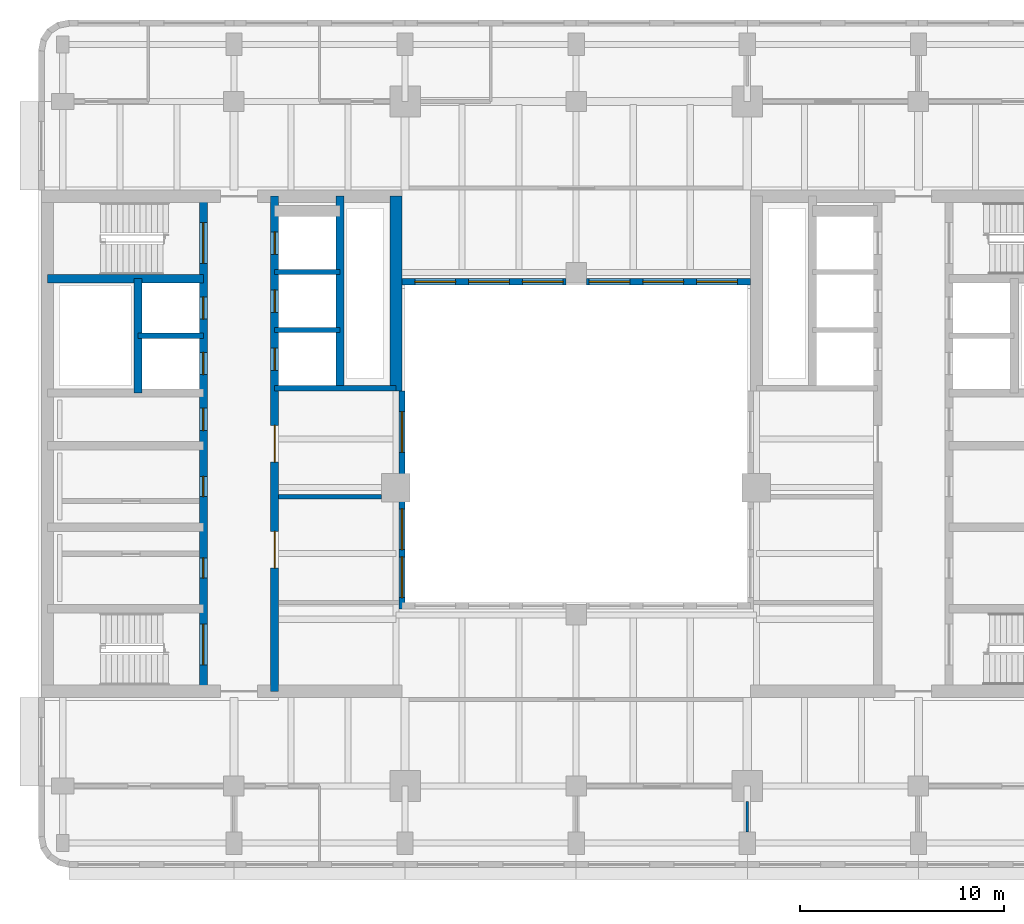
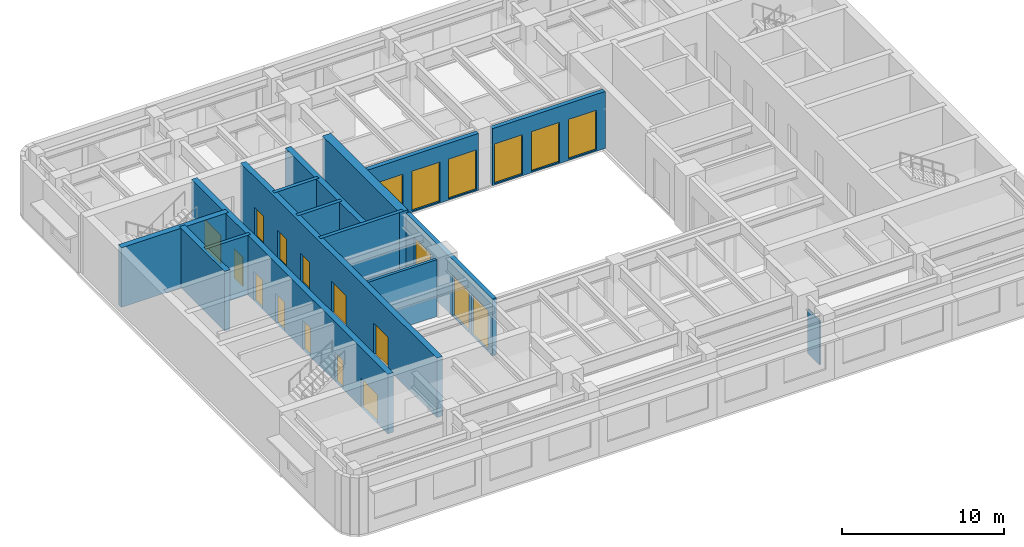
# One storey, part 4 of 13: 15 walls, 12 doors, 9 windows, 21 openings.
"""IFC4 building model written with IfcOpenShell, lengths in metres."""

from ifc_helpers import new_model, si_unit, direction, frame, frame_2d, origin, place, context, subcontext, project, spatial, rectangle, extrude, material, layer, layer_set, type_object, element, fill, save


model = new_model("IFC4")

# Units and contexts
model_context = context("Model", 3, precision=1e-05, world=origin(), true_north=direction((0.0, 1.0)))
body_context = subcontext(model_context, "Body", "Model", "MODEL_VIEW")
ifc_project = project(units=[si_unit("LENGTHUNIT", "METRE"), si_unit("AREAUNIT", "SQUARE_METRE"), si_unit("VOLUMEUNIT", "CUBIC_METRE"), si_unit("PLANEANGLEUNIT", "RADIAN"), si_unit("MASSUNIT", "GRAM", prefix="KILO")], contexts=[model_context])

# Site, building, storey
site_placement = place(None, origin())
site = spatial("IfcSite", under=ifc_project, at=site_placement, CompositionType="ELEMENT")
building_placement = place(site_placement, origin())
building = spatial("IfcBuilding", under=site, at=building_placement, Name="Claustro Exchange Tower", CompositionType="ELEMENT")
storey_placement = place(building_placement, frame((0.0, 0.0, 277.199951171875)))
storey = spatial("IfcBuildingStorey", under=building, at=storey_placement, Name="L63", CompositionType="ELEMENT", Elevation=277.199951171875)

# Walls
ifc_material_1 = material(Name="Laminated glass in aluminium frame", Category="aluminium")
ifc_layer_1 = layer(ifc_material_1, 0.1201171875)
ifc_layer_set_1 = layer_set([ifc_layer_1], Name="Laminated glass in aluminium frame")
wall_type_1 = type_object("IfcWallType", Name="P2 120 glazed partition", PredefinedType="PARTITIONING", material=ifc_layer_set_1)
wall_1_placement = place(storey_placement, frame((33.60009765625, 6.14892578125, 0.0), z_axis=(0.0, 0.0, 1.0), x_axis=(0.0, 1.0, 0.0)))
element("IfcWall", 1, at=wall_1_placement, inside=storey, type_object=wall_type_1, Name="Partition P2 L63", PredefinedType="PARTITIONING", context=body_context, shape_type="SweptSolid", body=[
    extrude(rectangle(XDim=1.501953125, YDim=0.1201171875, at=frame_2d((0.7509765625, 0.0))), origin(), (0.0, 0.0, 1.0), 3.2919921875),
])
ifc_material_2 = material(Name="Twin-skin gypsum board on steel studs, mineral wool", Category="steel")
ifc_layer_2 = layer(ifc_material_2, 0.199951171875)
ifc_layer_set_2 = layer_set([ifc_layer_2], Name="Twin-skin gypsum board on steel studs, mineral wool")
wall_type_2 = type_object("IfcWallType", Name="P3 200 acoustic partition", PredefinedType="PARTITIONING", material=ifc_layer_set_2)
wall_2_placement = place(storey_placement, frame((10.597900390625, 22.60009765625, 0.0), z_axis=(0.0, 0.0, 1.0), x_axis=(1.0, 0.0, 0.0)))
element("IfcWall", 2, at=wall_2_placement, inside=storey, type_object=wall_type_2, Name="Partition P3 L63", PredefinedType="PARTITIONING", context=body_context, shape_type="SweptSolid", body=[
    extrude(rectangle(XDim=5.052978515625, YDim=0.199951171875, at=frame_2d((2.5263671875, 0.0))), origin(), (0.0, 0.0, 1.0), 4.300048828125),
])

# Wall, openings, windows
ifc_material_3 = material(Name="Concrete HA-40 (C40/50), precast, white cement, acid-etched", Category="concrete")
ifc_layer_3 = layer(ifc_material_3, 0.300048828125)
ifc_layer_set_3 = layer_set([ifc_layer_3], Name="Concrete HA-40 (C40/50), precast, white cement, acid-etched")
wall_type_3 = type_object("IfcWallType", Name="PC1 300 precast concrete pier panel", PredefinedType="SOLIDWALL", material=ifc_layer_set_3)
wall_3_placement = place(storey_placement, frame((16.64990234375, 17.10009765625, 0.0), z_axis=(0.0, 0.0, 1.0), x_axis=(0.0, 1.0, 0.0)))
wall_3 = element("IfcWall", 3, at=wall_3_placement, inside=storey, type_object=wall_type_3, Name="Precast pier panel PC1 L63", PredefinedType="SOLIDWALL", context=body_context, shape_type="SweptSolid", body=[
    extrude(rectangle(XDim=10.699951171875, YDim=0.300048828125, at=frame_2d((5.35009765625, 0.0))), origin(), (0.0, 0.0, 1.0), 4.300048828125),
])
opening_1_placement = place(wall_3_placement, frame((0.550048828125, 0.0, 0.10009765625)))
opening_1 = element("IfcOpeningElement", 4, at=opening_1_placement, cuts=wall_3, Name="Opening W-A", PredefinedType="OPENING", context=body_context, shape_type="SweptSolid", body=[
    extrude(rectangle(XDim=2.0, YDim=3.0, at=frame_2d((1.0, 1.5))), frame((0.0, 0.159912109375, 0.0), z_axis=(0.0, -1.0, 0.0), x_axis=(1.0, 0.0, 0.0)), (0.0, 0.0, 1.0), 0.320068359375),
])
opening_2_placement = place(wall_3_placement, frame((2.89990234375, 0.0, 0.10009765625)))
opening_2 = element("IfcOpeningElement", 5, at=opening_2_placement, cuts=wall_3, Name="Opening W-A", PredefinedType="OPENING", context=body_context, shape_type="SweptSolid", body=[
    extrude(rectangle(XDim=2.0, YDim=3.0, at=frame_2d((1.0, 1.5))), frame((0.0, 0.159912109375, 0.0), z_axis=(0.0, -1.0, 0.0), x_axis=(1.0, 0.0, 0.0)), (0.0, 0.0, 1.0), 0.320068359375),
])
opening_3_placement = place(wall_3_placement, frame((7.675048828125, 0.0, 0.10009765625)))
opening_3 = element("IfcOpeningElement", 6, at=opening_3_placement, cuts=wall_3, Name="Opening W-A", PredefinedType="OPENING", context=body_context, shape_type="SweptSolid", body=[
    extrude(rectangle(XDim=2.0, YDim=3.0, at=frame_2d((1.0, 1.5))), frame((0.0, 0.159912109375, 0.0), z_axis=(0.0, -1.0, 0.0), x_axis=(1.0, 0.0, 0.0)), (0.0, 0.0, 1.0), 0.320068359375),
])
ifc_material_4 = material(Name="Aluminium frame, clear double glazing", Category="aluminium")
window_type = type_object("IfcWindowType", Name="W-A 2000 x 3000 arcade window", PartitioningType="SINGLE_PANEL", PredefinedType="WINDOW", material=ifc_material_4)
window_1_placement = place(opening_1_placement, origin())
window_1 = element("IfcWindow", 7, at=window_1_placement, inside=storey, type_object=window_type, Name="Window W-A L63", OverallHeight=3.0, OverallWidth=2.0, PartitioningType="SINGLE_PANEL", PredefinedType="WINDOW", context=body_context, shape_type="SweptSolid", body=[
    extrude(rectangle(XDim=2.0, YDim=3.0, at=frame_2d((1.0, 1.5))), frame((0.0, 0.030029296875, 0.0), z_axis=(0.0, -1.0, 0.0), x_axis=(1.0, 0.0, 0.0)), (0.0, 0.0, 1.0), 0.06005859375),
])
fill(opening_1, window_1)
window_2_placement = place(opening_2_placement, origin())
window_2 = element("IfcWindow", 8, at=window_2_placement, inside=storey, type_object=window_type, Name="Window W-A L63", OverallHeight=3.0, OverallWidth=2.0, PartitioningType="SINGLE_PANEL", PredefinedType="WINDOW", context=body_context, shape_type="SweptSolid", body=[
    extrude(rectangle(XDim=2.0, YDim=3.0, at=frame_2d((1.0, 1.5))), frame((0.0, 0.030029296875, 0.0), z_axis=(0.0, -1.0, 0.0), x_axis=(1.0, 0.0, 0.0)), (0.0, 0.0, 1.0), 0.06005859375),
])
fill(opening_2, window_2)
window_3_placement = place(opening_3_placement, origin())
window_3 = element("IfcWindow", 9, at=window_3_placement, inside=storey, type_object=window_type, Name="Window W-A L63", OverallHeight=3.0, OverallWidth=2.0, PartitioningType="SINGLE_PANEL", PredefinedType="WINDOW", context=body_context, shape_type="SweptSolid", body=[
    extrude(rectangle(XDim=2.0, YDim=3.0, at=frame_2d((1.0, 1.5))), frame((0.0, 0.030029296875, 0.0), z_axis=(0.0, -1.0, 0.0), x_axis=(1.0, 0.0, 0.0)), (0.0, 0.0, 1.0), 0.06005859375),
])
fill(opening_3, window_3)

wall_4_placement = place(storey_placement, frame((16.64990234375, 33.14990234375, 0.0), z_axis=(0.0, 0.0, 1.0), x_axis=(1.0, 0.0, 0.0)))
wall_4 = element("IfcWall", 10, at=wall_4_placement, inside=storey, type_object=wall_type_3, Name="Precast pier panel PC1 L63", PredefinedType="SOLIDWALL", context=body_context, shape_type="SweptSolid", body=[
    extrude(rectangle(XDim=8.050048828125, YDim=0.300048828125, at=frame_2d((4.02490234375, 0.0))), origin(), (0.0, 0.0, 1.0), 4.300048828125),
])
opening_4_placement = place(wall_4_placement, frame((0.637451171875, 0.0, 0.10009765625)))
opening_4 = element("IfcOpeningElement", 11, at=opening_4_placement, cuts=wall_4, Name="Opening W-A", PredefinedType="OPENING", context=body_context, shape_type="SweptSolid", body=[
    extrude(rectangle(XDim=2.0, YDim=3.0, at=frame_2d((1.0, 1.5))), frame((0.0, 0.159912109375, 0.0), z_axis=(0.0, -1.0, 0.0), x_axis=(1.0, 0.0, 0.0)), (0.0, 0.0, 1.0), 0.320068359375),
])
opening_5_placement = place(wall_4_placement, frame((3.27490234375, 0.0, 0.10009765625)))
opening_5 = element("IfcOpeningElement", 12, at=opening_5_placement, cuts=wall_4, Name="Opening W-A", PredefinedType="OPENING", context=body_context, shape_type="SweptSolid", body=[
    extrude(rectangle(XDim=2.0, YDim=3.0, at=frame_2d((1.0, 1.5))), frame((0.0, 0.159912109375, 0.0), z_axis=(0.0, -1.0, 0.0), x_axis=(1.0, 0.0, 0.0)), (0.0, 0.0, 1.0), 0.320068359375),
])
opening_6_placement = place(wall_4_placement, frame((5.91259765625, 0.0, 0.10009765625)))
opening_6 = element("IfcOpeningElement", 13, at=opening_6_placement, cuts=wall_4, Name="Opening W-A", PredefinedType="OPENING", context=body_context, shape_type="SweptSolid", body=[
    extrude(rectangle(XDim=2.0, YDim=3.0, at=frame_2d((1.0, 1.5))), frame((0.0, 0.159912109375, 0.0), z_axis=(0.0, -1.0, 0.0), x_axis=(1.0, 0.0, 0.0)), (0.0, 0.0, 1.0), 0.320068359375),
])
window_4_placement = place(opening_4_placement, origin())
window_4 = element("IfcWindow", 14, at=window_4_placement, inside=storey, type_object=window_type, Name="Window W-A L63", OverallHeight=3.0, OverallWidth=2.0, PartitioningType="SINGLE_PANEL", PredefinedType="WINDOW", context=body_context, shape_type="SweptSolid", body=[
    extrude(rectangle(XDim=2.0, YDim=3.0, at=frame_2d((1.0, 1.5))), frame((0.0, 0.030029296875, 0.0), z_axis=(0.0, -1.0, 0.0), x_axis=(1.0, 0.0, 0.0)), (0.0, 0.0, 1.0), 0.06005859375),
])
fill(opening_4, window_4)
window_5_placement = place(opening_5_placement, origin())
window_5 = element("IfcWindow", 15, at=window_5_placement, inside=storey, type_object=window_type, Name="Window W-A L63", OverallHeight=3.0, OverallWidth=2.0, PartitioningType="SINGLE_PANEL", PredefinedType="WINDOW", context=body_context, shape_type="SweptSolid", body=[
    extrude(rectangle(XDim=2.0, YDim=3.0, at=frame_2d((1.0, 1.5))), frame((0.0, 0.030029296875, 0.0), z_axis=(0.0, -1.0, 0.0), x_axis=(1.0, 0.0, 0.0)), (0.0, 0.0, 1.0), 0.06005859375),
])
fill(opening_5, window_5)
window_6_placement = place(opening_6_placement, origin())
window_6 = element("IfcWindow", 16, at=window_6_placement, inside=storey, type_object=window_type, Name="Window W-A L63", OverallHeight=3.0, OverallWidth=2.0, PartitioningType="SINGLE_PANEL", PredefinedType="WINDOW", context=body_context, shape_type="SweptSolid", body=[
    extrude(rectangle(XDim=2.0, YDim=3.0, at=frame_2d((1.0, 1.5))), frame((0.0, 0.030029296875, 0.0), z_axis=(0.0, -1.0, 0.0), x_axis=(1.0, 0.0, 0.0)), (0.0, 0.0, 1.0), 0.06005859375),
])
fill(opening_6, window_6)

wall_5_placement = place(storey_placement, frame((25.699951171875, 33.14990234375, 0.0), z_axis=(0.0, 0.0, 1.0), x_axis=(1.0, 0.0, 0.0)))
wall_5 = element("IfcWall", 17, at=wall_5_placement, inside=storey, type_object=wall_type_3, Name="Precast pier panel PC1 L63", PredefinedType="SOLIDWALL", context=body_context, shape_type="SweptSolid", body=[
    extrude(rectangle(XDim=8.050048828125, YDim=0.300048828125, at=frame_2d((4.02490234375, 0.0))), origin(), (0.0, 0.0, 1.0), 4.300048828125),
])
opening_7_placement = place(wall_5_placement, frame((0.137451171875, 0.0, 0.10009765625)))
opening_7 = element("IfcOpeningElement", 18, at=opening_7_placement, cuts=wall_5, Name="Opening W-A", PredefinedType="OPENING", context=body_context, shape_type="SweptSolid", body=[
    extrude(rectangle(XDim=2.0, YDim=3.0, at=frame_2d((1.0, 1.5))), frame((0.0, 0.159912109375, 0.0), z_axis=(0.0, -1.0, 0.0), x_axis=(1.0, 0.0, 0.0)), (0.0, 0.0, 1.0), 0.320068359375),
])
opening_8_placement = place(wall_5_placement, frame((2.77490234375, 0.0, 0.10009765625)))
opening_8 = element("IfcOpeningElement", 19, at=opening_8_placement, cuts=wall_5, Name="Opening W-A", PredefinedType="OPENING", context=body_context, shape_type="SweptSolid", body=[
    extrude(rectangle(XDim=2.0, YDim=3.0, at=frame_2d((1.0, 1.5))), frame((0.0, 0.159912109375, 0.0), z_axis=(0.0, -1.0, 0.0), x_axis=(1.0, 0.0, 0.0)), (0.0, 0.0, 1.0), 0.320068359375),
])
opening_9_placement = place(wall_5_placement, frame((5.41259765625, 0.0, 0.10009765625)))
opening_9 = element("IfcOpeningElement", 20, at=opening_9_placement, cuts=wall_5, Name="Opening W-A", PredefinedType="OPENING", context=body_context, shape_type="SweptSolid", body=[
    extrude(rectangle(XDim=2.0, YDim=3.0, at=frame_2d((1.0, 1.5))), frame((0.0, 0.159912109375, 0.0), z_axis=(0.0, -1.0, 0.0), x_axis=(1.0, 0.0, 0.0)), (0.0, 0.0, 1.0), 0.320068359375),
])
window_7_placement = place(opening_7_placement, origin())
window_7 = element("IfcWindow", 21, at=window_7_placement, inside=storey, type_object=window_type, Name="Window W-A L63", OverallHeight=3.0, OverallWidth=2.0, PartitioningType="SINGLE_PANEL", PredefinedType="WINDOW", context=body_context, shape_type="SweptSolid", body=[
    extrude(rectangle(XDim=2.0, YDim=3.0, at=frame_2d((1.0, 1.5))), frame((0.0, 0.030029296875, 0.0), z_axis=(0.0, -1.0, 0.0), x_axis=(1.0, 0.0, 0.0)), (0.0, 0.0, 1.0), 0.06005859375),
])
fill(opening_7, window_7)
window_8_placement = place(opening_8_placement, origin())
window_8 = element("IfcWindow", 22, at=window_8_placement, inside=storey, type_object=window_type, Name="Window W-A L63", OverallHeight=3.0, OverallWidth=2.0, PartitioningType="SINGLE_PANEL", PredefinedType="WINDOW", context=body_context, shape_type="SweptSolid", body=[
    extrude(rectangle(XDim=2.0, YDim=3.0, at=frame_2d((1.0, 1.5))), frame((0.0, 0.030029296875, 0.0), z_axis=(0.0, -1.0, 0.0), x_axis=(1.0, 0.0, 0.0)), (0.0, 0.0, 1.0), 0.06005859375),
])
fill(opening_8, window_8)
window_9_placement = place(opening_9_placement, origin())
window_9 = element("IfcWindow", 23, at=window_9_placement, inside=storey, type_object=window_type, Name="Window W-A L63", OverallHeight=3.0, OverallWidth=2.0, PartitioningType="SINGLE_PANEL", PredefinedType="WINDOW", context=body_context, shape_type="SweptSolid", body=[
    extrude(rectangle(XDim=2.0, YDim=3.0, at=frame_2d((1.0, 1.5))), frame((0.0, 0.030029296875, 0.0), z_axis=(0.0, -1.0, 0.0), x_axis=(1.0, 0.0, 0.0)), (0.0, 0.0, 1.0), 0.06005859375),
])
fill(opening_9, window_9)

# Wall
ifc_material_5 = material(Name="Concrete HA-50 (C50/60)", Category="concrete")
ifc_layer_4 = layer(ifc_material_5, 0.60009765625)
ifc_layer_set_4 = layer_set([ifc_layer_4], Name="Concrete HA-50 (C50/60)")
wall_type_4 = type_object("IfcWallType", Name="SW3X 600 exposed core shear wall, board-marked face", PredefinedType="SHEAR", material=ifc_layer_set_4)
wall_6_placement = place(storey_placement, frame((16.35009765625, 27.800048828125, 0.0), z_axis=(0.0, 0.0, 1.0), x_axis=(0.0, 1.0, 0.0)))
element("IfcWall", 24, at=wall_6_placement, inside=storey, type_object=wall_type_4, Name="Core wall SW3X W core E face L63", PredefinedType="SHEAR", context=body_context, shape_type="SweptSolid", body=[
    extrude(rectangle(XDim=9.550048828125, YDim=0.60009765625, at=frame_2d((4.77490234375, 0.0))), origin(), (0.0, 0.0, 1.0), 4.5),
])

# Wall, openings, doors
ifc_material_6 = material(Name="Concrete HA-50 (C50/60)", Category="concrete")
ifc_layer_5 = layer(ifc_material_6, 0.39990234375)
ifc_layer_set_5 = layer_set([ifc_layer_5], Name="Concrete HA-50 (C50/60)")
wall_type_5 = type_object("IfcWallType", Name="SW4 400 internal core wall", PredefinedType="SHEAR", material=ifc_layer_set_5)
wall_7_placement = place(storey_placement, frame((6.89990234375, 13.050048828125, 0.0), z_axis=(0.0, 0.0, 1.0), x_axis=(0.0, 1.0, 0.0)))
wall_7 = element("IfcWall", 25, at=wall_7_placement, inside=storey, type_object=wall_type_5, Name="Internal core wall SW4 W core L63", PredefinedType="SHEAR", context=body_context, shape_type="SweptSolid", body=[
    extrude(rectangle(XDim=24.300048828125, YDim=0.39990234375, at=frame_2d((12.14990234375, 0.0))), origin(), (0.0, 0.0, 1.0), 4.5),
])
opening_10_placement = place(wall_7_placement, frame((1.300048828125, 0.0, 0.0)))
opening_10 = element("IfcOpeningElement", 26, at=opening_10_placement, cuts=wall_7, Name="Opening D11", PredefinedType="OPENING", context=body_context, shape_type="SweptSolid", body=[
    extrude(rectangle(XDim=2.0, YDim=2.199951171875, at=frame_2d((1.0, 1.10009765625))), frame((0.0, 0.2099609375, 0.0), z_axis=(0.0, -1.0, 0.0), x_axis=(1.0, 0.0, 0.0)), (0.0, 0.0, 1.0), 0.419921875),
])
opening_11_placement = place(wall_7_placement, frame((21.0, 0.0, 0.0)))
opening_11 = element("IfcOpeningElement", 27, at=opening_11_placement, cuts=wall_7, Name="Opening D11", PredefinedType="OPENING", context=body_context, shape_type="SweptSolid", body=[
    extrude(rectangle(XDim=2.0, YDim=2.199951171875, at=frame_2d((1.0, 1.10009765625))), frame((0.0, 0.2099609375, 0.0), z_axis=(0.0, -1.0, 0.0), x_axis=(1.0, 0.0, 0.0)), (0.0, 0.0, 1.0), 0.419921875),
])
opening_12_placement = place(wall_7_placement, frame((5.550048828125, 0.0, 0.0)))
opening_12 = element("IfcOpeningElement", 28, at=opening_12_placement, cuts=wall_7, Name="Opening D1", PredefinedType="OPENING", context=body_context, shape_type="SweptSolid", body=[
    extrude(rectangle(XDim=1.0, YDim=2.199951171875, at=frame_2d((0.5, 1.10009765625))), frame((0.0, 0.2099609375, 0.0), z_axis=(0.0, -1.0, 0.0), x_axis=(1.0, 0.0, 0.0)), (0.0, 0.0, 1.0), 0.419921875),
])
opening_13_placement = place(wall_7_placement, frame((9.550048828125, 0.0, 0.0)))
opening_13 = element("IfcOpeningElement", 29, at=opening_13_placement, cuts=wall_7, Name="Opening D1", PredefinedType="OPENING", context=body_context, shape_type="SweptSolid", body=[
    extrude(rectangle(XDim=1.0, YDim=2.199951171875, at=frame_2d((0.5, 1.10009765625))), frame((0.0, 0.2099609375, 0.0), z_axis=(0.0, -1.0, 0.0), x_axis=(1.0, 0.0, 0.0)), (0.0, 0.0, 1.0), 0.419921875),
])
opening_14_placement = place(wall_7_placement, frame((12.800048828125, 0.0, 0.0)))
opening_14 = element("IfcOpeningElement", 30, at=opening_14_placement, cuts=wall_7, Name="Opening D10", PredefinedType="OPENING", context=body_context, shape_type="SweptSolid", body=[
    extrude(rectangle(XDim=1.10009765625, YDim=2.199951171875, at=frame_2d((0.550048828125, 1.10009765625))), frame((0.0, 0.2099609375, 0.0), z_axis=(0.0, -1.0, 0.0), x_axis=(1.0, 0.0, 0.0)), (0.0, 0.0, 1.0), 0.419921875),
])
opening_15_placement = place(wall_7_placement, frame((15.53759765625, 0.0, 0.0)))
opening_15 = element("IfcOpeningElement", 31, at=opening_15_placement, cuts=wall_7, Name="Opening LD", PredefinedType="OPENING", context=body_context, shape_type="SweptSolid", body=[
    extrude(rectangle(XDim=1.10009765625, YDim=2.199951171875, at=frame_2d((0.550048828125, 1.10009765625))), frame((0.0, 0.2099609375, 0.0), z_axis=(0.0, -1.0, 0.0), x_axis=(1.0, 0.0, 0.0)), (0.0, 0.0, 1.0), 0.419921875),
])
opening_16_placement = place(wall_7_placement, frame((18.262451171875, 0.0, 0.0)))
opening_16 = element("IfcOpeningElement", 32, at=opening_16_placement, cuts=wall_7, Name="Opening LD", PredefinedType="OPENING", context=body_context, shape_type="SweptSolid", body=[
    extrude(rectangle(XDim=1.10009765625, YDim=2.199951171875, at=frame_2d((0.550048828125, 1.10009765625))), frame((0.0, 0.2099609375, 0.0), z_axis=(0.0, -1.0, 0.0), x_axis=(1.0, 0.0, 0.0)), (0.0, 0.0, 1.0), 0.419921875),
])
ifc_material_7 = material(Name="Timber door, oak veneer", Category="wood")
door_type_1 = type_object("IfcDoorType", Name="D1 1000 x 2200 single door", OperationType="SINGLE_SWING_LEFT", PredefinedType="DOOR", material=ifc_material_7)
door_1_placement = place(opening_12_placement, origin())
door_1 = element("IfcDoor", 33, at=door_1_placement, inside=storey, type_object=door_type_1, Name="Door D1 L63", OperationType="SINGLE_SWING_RIGHT", OverallHeight=2.199951171875, OverallWidth=1.0, PredefinedType="DOOR", context=body_context, shape_type="SweptSolid", body=[
    extrude(rectangle(XDim=1.0, YDim=2.199951171875, at=frame_2d((0.5, 1.10009765625))), frame((0.0, 0.02490234375, 0.0), z_axis=(0.0, -1.0, 0.0), x_axis=(1.0, 0.0, 0.0)), (0.0, 0.0, 1.0), 0.050048828125),
])
fill(opening_12, door_1)
door_2_placement = place(opening_13_placement, origin())
door_2 = element("IfcDoor", 34, at=door_2_placement, inside=storey, type_object=door_type_1, Name="Door D1 L63", OperationType="SINGLE_SWING_LEFT", OverallHeight=2.199951171875, OverallWidth=1.0, PredefinedType="DOOR", context=body_context, shape_type="SweptSolid", body=[
    extrude(rectangle(XDim=1.0, YDim=2.199951171875, at=frame_2d((0.5, 1.10009765625))), frame((0.0, 0.02490234375, 0.0), z_axis=(0.0, -1.0, 0.0), x_axis=(1.0, 0.0, 0.0)), (0.0, 0.0, 1.0), 0.050048828125),
])
fill(opening_13, door_2)
ifc_material_8 = material(Name="Timber door, oak veneer", Category="wood")
door_type_2 = type_object("IfcDoorType", Name="D10 1100 x 2200 accessible WC door", OperationType="SINGLE_SWING_LEFT", PredefinedType="DOOR", material=ifc_material_8)
door_3_placement = place(opening_14_placement, frame((1.10009765625, 0.0, 0.0), z_axis=(0.0, 0.0, 1.0), x_axis=(-1.0, 0.0, 0.0)))
door_3 = element("IfcDoor", 35, at=door_3_placement, inside=storey, type_object=door_type_2, Name="Accessible WC door D10 L63", OperationType="SINGLE_SWING_LEFT", OverallHeight=2.199951171875, OverallWidth=1.10009765625, PredefinedType="DOOR", context=body_context, shape_type="SweptSolid", body=[
    extrude(rectangle(XDim=1.10009765625, YDim=2.199951171875, at=frame_2d((0.550048828125, 1.10009765625))), frame((0.0, 0.02490234375, 0.0), z_axis=(0.0, -1.0, 0.0), x_axis=(1.0, 0.0, 0.0)), (0.0, 0.0, 1.0), 0.050048828125),
])
fill(opening_14, door_3)
ifc_material_9 = material(Name="Steel fire door, painted", Category="steel")
door_type_3 = type_object("IfcDoorType", Name="D11 2000 x 2200 fire-rated stair double door", OperationType="DOUBLE_DOOR_SINGLE_SWING", PredefinedType="DOOR", material=ifc_material_9)
door_4_placement = place(opening_10_placement, origin())
door_4 = element("IfcDoor", 36, at=door_4_placement, inside=storey, type_object=door_type_3, Name="Stair door D11 L63", OperationType="DOUBLE_DOOR_SINGLE_SWING", OverallHeight=2.199951171875, OverallWidth=2.0, PredefinedType="DOOR", context=body_context, shape_type="SweptSolid", body=[
    extrude(rectangle(XDim=2.0, YDim=2.199951171875, at=frame_2d((1.0, 1.10009765625))), frame((0.0, 0.02490234375, 0.0), z_axis=(0.0, -1.0, 0.0), x_axis=(1.0, 0.0, 0.0)), (0.0, 0.0, 1.0), 0.050048828125),
])
fill(opening_10, door_4)
door_5_placement = place(opening_11_placement, origin())
door_5 = element("IfcDoor", 37, at=door_5_placement, inside=storey, type_object=door_type_3, Name="Stair door D11 L63", OperationType="DOUBLE_DOOR_SINGLE_SWING", OverallHeight=2.199951171875, OverallWidth=2.0, PredefinedType="DOOR", context=body_context, shape_type="SweptSolid", body=[
    extrude(rectangle(XDim=2.0, YDim=2.199951171875, at=frame_2d((1.0, 1.10009765625))), frame((0.0, 0.02490234375, 0.0), z_axis=(0.0, -1.0, 0.0), x_axis=(1.0, 0.0, 0.0)), (0.0, 0.0, 1.0), 0.050048828125),
])
fill(opening_11, door_5)
ifc_material_10 = material(Name="Stainless steel sliding door", Category="steel")
door_type_4 = type_object("IfcDoorType", Name="LD 1100 x 2200 lift landing door", OperationType="DOUBLE_DOOR_SLIDING", PredefinedType="DOOR", material=ifc_material_10)
door_6_placement = place(opening_15_placement, origin())
door_6 = element("IfcDoor", 38, at=door_6_placement, inside=storey, type_object=door_type_4, Name="Lift landing door LEW1 LD L63", OperationType="DOUBLE_DOOR_SLIDING", OverallHeight=2.199951171875, OverallWidth=1.10009765625, PredefinedType="DOOR", context=body_context, shape_type="SweptSolid", body=[
    extrude(rectangle(XDim=1.10009765625, YDim=2.199951171875, at=frame_2d((0.550048828125, 1.10009765625))), frame((0.0, 0.02490234375, 0.0), z_axis=(0.0, -1.0, 0.0), x_axis=(1.0, 0.0, 0.0)), (0.0, 0.0, 1.0), 0.050048828125),
])
fill(opening_15, door_6)
door_7_placement = place(opening_16_placement, origin())
door_7 = element("IfcDoor", 39, at=door_7_placement, inside=storey, type_object=door_type_4, Name="Lift landing door LEW2 LD L63", OperationType="DOUBLE_DOOR_SLIDING", OverallHeight=2.199951171875, OverallWidth=1.10009765625, PredefinedType="DOOR", context=body_context, shape_type="SweptSolid", body=[
    extrude(rectangle(XDim=1.10009765625, YDim=2.199951171875, at=frame_2d((0.550048828125, 1.10009765625))), frame((0.0, 0.02490234375, 0.0), z_axis=(0.0, -1.0, 0.0), x_axis=(1.0, 0.0, 0.0)), (0.0, 0.0, 1.0), 0.050048828125),
])
fill(opening_16, door_7)

wall_8_placement = place(storey_placement, frame((10.39990234375, 13.050048828125, 0.0), z_axis=(0.0, 0.0, 1.0), x_axis=(0.0, 1.0, 0.0)))
wall_8 = element("IfcWall", 40, at=wall_8_placement, inside=storey, type_object=wall_type_5, Name="Internal core wall SW4 W core L63", PredefinedType="SHEAR", context=body_context, shape_type="SweptSolid", body=[
    extrude(rectangle(XDim=24.300048828125, YDim=0.39990234375, at=frame_2d((12.14990234375, 0.0))), origin(), (0.0, 0.0, 1.0), 4.5),
])
opening_17_placement = place(wall_8_placement, frame((15.75, 0.0, 0.0)))
opening_17 = element("IfcOpeningElement", 41, at=opening_17_placement, cuts=wall_8, Name="Opening LD", PredefinedType="OPENING", context=body_context, shape_type="SweptSolid", body=[
    extrude(rectangle(XDim=1.10009765625, YDim=2.199951171875, at=frame_2d((0.550048828125, 1.10009765625))), frame((0.0, 0.2099609375, 0.0), z_axis=(0.0, -1.0, 0.0), x_axis=(1.0, 0.0, 0.0)), (0.0, 0.0, 1.0), 0.419921875),
])
opening_18_placement = place(wall_8_placement, frame((18.60009765625, 0.0, 0.0)))
opening_18 = element("IfcOpeningElement", 42, at=opening_18_placement, cuts=wall_8, Name="Opening LD", PredefinedType="OPENING", context=body_context, shape_type="SweptSolid", body=[
    extrude(rectangle(XDim=1.10009765625, YDim=2.199951171875, at=frame_2d((0.550048828125, 1.10009765625))), frame((0.0, 0.2099609375, 0.0), z_axis=(0.0, -1.0, 0.0), x_axis=(1.0, 0.0, 0.0)), (0.0, 0.0, 1.0), 0.419921875),
])
opening_19_placement = place(wall_8_placement, frame((21.449951171875, 0.0, 0.0)))
opening_19 = element("IfcOpeningElement", 43, at=opening_19_placement, cuts=wall_8, Name="Opening LD", PredefinedType="OPENING", context=body_context, shape_type="SweptSolid", body=[
    extrude(rectangle(XDim=1.10009765625, YDim=2.199951171875, at=frame_2d((0.550048828125, 1.10009765625))), frame((0.0, 0.2099609375, 0.0), z_axis=(0.0, -1.0, 0.0), x_axis=(1.0, 0.0, 0.0)), (0.0, 0.0, 1.0), 0.419921875),
])
opening_20_placement = place(wall_8_placement, frame((6.050048828125, 0.0, 0.0)))
opening_20 = element("IfcOpeningElement", 44, at=opening_20_placement, cuts=wall_8, Name="Opening D3", PredefinedType="OPENING", context=body_context, shape_type="SweptSolid", body=[
    extrude(rectangle(XDim=1.800048828125, YDim=2.39990234375, at=frame_2d((0.89990234375, 1.199951171875))), frame((0.0, 0.2099609375, 0.0), z_axis=(0.0, -1.0, 0.0), x_axis=(1.0, 0.0, 0.0)), (0.0, 0.0, 1.0), 0.419921875),
])
opening_21_placement = place(wall_8_placement, frame((11.25, 0.0, 0.0)))
opening_21 = element("IfcOpeningElement", 45, at=opening_21_placement, cuts=wall_8, Name="Opening D3", PredefinedType="OPENING", context=body_context, shape_type="SweptSolid", body=[
    extrude(rectangle(XDim=1.800048828125, YDim=2.39990234375, at=frame_2d((0.89990234375, 1.199951171875))), frame((0.0, 0.2099609375, 0.0), z_axis=(0.0, -1.0, 0.0), x_axis=(1.0, 0.0, 0.0)), (0.0, 0.0, 1.0), 0.419921875),
])
ifc_material_11 = material(Name="Steel fire door, painted", Category="steel")
door_type_5 = type_object("IfcDoorType", Name="D3 1800 x 2400 fire-rated lobby double door", OperationType="DOUBLE_DOOR_SINGLE_SWING", PredefinedType="DOOR", material=ifc_material_11)
door_8_placement = place(opening_20_placement, frame((1.800048828125, 0.0, 0.0), z_axis=(0.0, 0.0, 1.0), x_axis=(-1.0, 0.0, 0.0)))
door_8 = element("IfcDoor", 46, at=door_8_placement, inside=storey, type_object=door_type_5, Name="Core zone door D3 L63", OperationType="DOUBLE_DOOR_SINGLE_SWING", OverallHeight=2.39990234375, OverallWidth=1.800048828125, PredefinedType="DOOR", context=body_context, shape_type="SweptSolid", body=[
    extrude(rectangle(XDim=1.800048828125, YDim=2.39990234375, at=frame_2d((0.89990234375, 1.199951171875))), frame((0.0, 0.02490234375, 0.0), z_axis=(0.0, -1.0, 0.0), x_axis=(1.0, 0.0, 0.0)), (0.0, 0.0, 1.0), 0.050048828125),
])
fill(opening_20, door_8)
door_9_placement = place(opening_21_placement, frame((1.800048828125, 0.0, 0.0), z_axis=(0.0, 0.0, 1.0), x_axis=(-1.0, 0.0, 0.0)))
door_9 = element("IfcDoor", 47, at=door_9_placement, inside=storey, type_object=door_type_5, Name="Core zone door D3 L63", OperationType="DOUBLE_DOOR_SINGLE_SWING", OverallHeight=2.39990234375, OverallWidth=1.800048828125, PredefinedType="DOOR", context=body_context, shape_type="SweptSolid", body=[
    extrude(rectangle(XDim=1.800048828125, YDim=2.39990234375, at=frame_2d((0.89990234375, 1.199951171875))), frame((0.0, 0.02490234375, 0.0), z_axis=(0.0, -1.0, 0.0), x_axis=(1.0, 0.0, 0.0)), (0.0, 0.0, 1.0), 0.050048828125),
])
fill(opening_21, door_9)
door_10_placement = place(opening_17_placement, origin())
door_10 = element("IfcDoor", 48, at=door_10_placement, inside=storey, type_object=door_type_4, Name="Lift landing door LHW1 LD L63", OperationType="DOUBLE_DOOR_SLIDING", OverallHeight=2.199951171875, OverallWidth=1.10009765625, PredefinedType="DOOR", context=body_context, shape_type="SweptSolid", body=[
    extrude(rectangle(XDim=1.10009765625, YDim=2.199951171875, at=frame_2d((0.550048828125, 1.10009765625))), frame((0.0, 0.02490234375, 0.0), z_axis=(0.0, -1.0, 0.0), x_axis=(1.0, 0.0, 0.0)), (0.0, 0.0, 1.0), 0.050048828125),
])
fill(opening_17, door_10)
door_11_placement = place(opening_18_placement, origin())
door_11 = element("IfcDoor", 49, at=door_11_placement, inside=storey, type_object=door_type_4, Name="Lift landing door LHW2 LD L63", OperationType="DOUBLE_DOOR_SLIDING", OverallHeight=2.199951171875, OverallWidth=1.10009765625, PredefinedType="DOOR", context=body_context, shape_type="SweptSolid", body=[
    extrude(rectangle(XDim=1.10009765625, YDim=2.199951171875, at=frame_2d((0.550048828125, 1.10009765625))), frame((0.0, 0.02490234375, 0.0), z_axis=(0.0, -1.0, 0.0), x_axis=(1.0, 0.0, 0.0)), (0.0, 0.0, 1.0), 0.050048828125),
])
fill(opening_18, door_11)
door_12_placement = place(opening_19_placement, origin())
door_12 = element("IfcDoor", 50, at=door_12_placement, inside=storey, type_object=door_type_4, Name="Lift landing door LSW1 LD L63", OperationType="DOUBLE_DOOR_SLIDING", OverallHeight=2.199951171875, OverallWidth=1.10009765625, PredefinedType="DOOR", context=body_context, shape_type="SweptSolid", body=[
    extrude(rectangle(XDim=1.10009765625, YDim=2.199951171875, at=frame_2d((0.550048828125, 1.10009765625))), frame((0.0, 0.02490234375, 0.0), z_axis=(0.0, -1.0, 0.0), x_axis=(1.0, 0.0, 0.0)), (0.0, 0.0, 1.0), 0.050048828125),
])
fill(opening_19, door_12)

# Walls
wall_9_placement = place(storey_placement, frame((13.60009765625, 27.925048828125, 0.0), z_axis=(0.0, 0.0, 1.0), x_axis=(0.0, 1.0, 0.0)))
element("IfcWall", 51, at=wall_9_placement, inside=storey, type_object=wall_type_5, Name="Internal core wall SW4 W core L63", PredefinedType="SHEAR", context=body_context, shape_type="SweptSolid", body=[
    extrude(rectangle(XDim=9.425048828125, YDim=0.39990234375, at=frame_2d((4.71240234375, 0.0))), origin(), (0.0, 0.0, 1.0), 4.5),
])
wall_10_placement = place(storey_placement, frame((-0.75, 33.300048828125, 0.0), z_axis=(0.0, 0.0, 1.0), x_axis=(1.0, 0.0, 0.0)))
element("IfcWall", 52, at=wall_10_placement, inside=storey, type_object=wall_type_5, Name="Internal core wall SW4 W core L63", PredefinedType="SHEAR", context=body_context, shape_type="SweptSolid", body=[
    extrude(rectangle(XDim=7.64990234375, YDim=0.39990234375, at=frame_2d((3.824951171875, 0.0))), origin(), (0.0, 0.0, 1.0), 4.5),
])
wall_11_placement = place(storey_placement, frame((3.699951171875, 27.699951171875, 0.0), z_axis=(0.0, 0.0, 1.0), x_axis=(0.0, 1.0, 0.0)))
element("IfcWall", 53, at=wall_11_placement, inside=storey, type_object=wall_type_5, Name="Internal core wall SW4 W core L63", PredefinedType="SHEAR", context=body_context, shape_type="SweptSolid", body=[
    extrude(rectangle(XDim=5.60009765625, YDim=0.39990234375, at=frame_2d((2.800048828125, 0.0))), origin(), (0.0, 0.0, 1.0), 4.5),
])
ifc_material_12 = material(Name="Concrete HA-50 (C50/60)", Category="concrete")
ifc_layer_6 = layer(ifc_material_12, 0.25)
ifc_layer_set_6 = layer_set([ifc_layer_6], Name="Concrete HA-50 (C50/60)")
wall_type_6 = type_object("IfcWallType", Name="SW5 250 lift shaft divider wall", PredefinedType="SHEAR", material=ifc_layer_set_6)
wall_12_placement = place(storey_placement, frame((3.699951171875, 30.5, 0.0), z_axis=(0.0, 0.0, 1.0), x_axis=(1.0, 0.0, 0.0)))
element("IfcWall", 54, at=wall_12_placement, inside=storey, type_object=wall_type_6, Name="Lift shaft wall W core L63", PredefinedType="SHEAR", context=body_context, shape_type="SweptSolid", body=[
    extrude(rectangle(XDim=3.199951171875, YDim=0.25, at=frame_2d((1.60009765625, 0.0))), origin(), (0.0, 0.0, 1.0), 4.5),
])
wall_13_placement = place(storey_placement, frame((10.39990234375, 27.925048828125, 0.0), z_axis=(0.0, 0.0, 1.0), x_axis=(1.0, 0.0, 0.0)))
element("IfcWall", 55, at=wall_13_placement, inside=storey, type_object=wall_type_6, Name="Core step wall W core L63", PredefinedType="SHEAR", context=body_context, shape_type="SweptSolid", body=[
    extrude(rectangle(XDim=5.9501953125, YDim=0.25, at=frame_2d((2.97509765625, 0.0))), origin(), (0.0, 0.0, 1.0), 4.5),
])
for number, where, z_axis, x_axis, name in (
    (56, (10.39990234375, 30.77490234375, 0.0), (0.0, 0.0, 1.0), (1.0, 0.0, 0.0), "Lift shaft wall W core L63"),
    (57, (10.39990234375, 33.625, 0.0), (0.0, 0.0, 1.0), (1.0, 0.0, 0.0), "Lift shaft wall W core L63"),
):
    element("IfcWall", number, at=place(storey_placement, frame(where, z_axis=z_axis, x_axis=x_axis)), inside=storey, type_object=wall_type_6, Name=name, PredefinedType="SHEAR", context=body_context, shape_type="SweptSolid", body=[
        extrude(rectangle(XDim=3.2001953125, YDim=0.25, at=frame_2d((1.60009765625, 0.0))), origin(), (0.0, 0.0, 1.0), 4.5),
    ])

save(model, "model.ifc")
